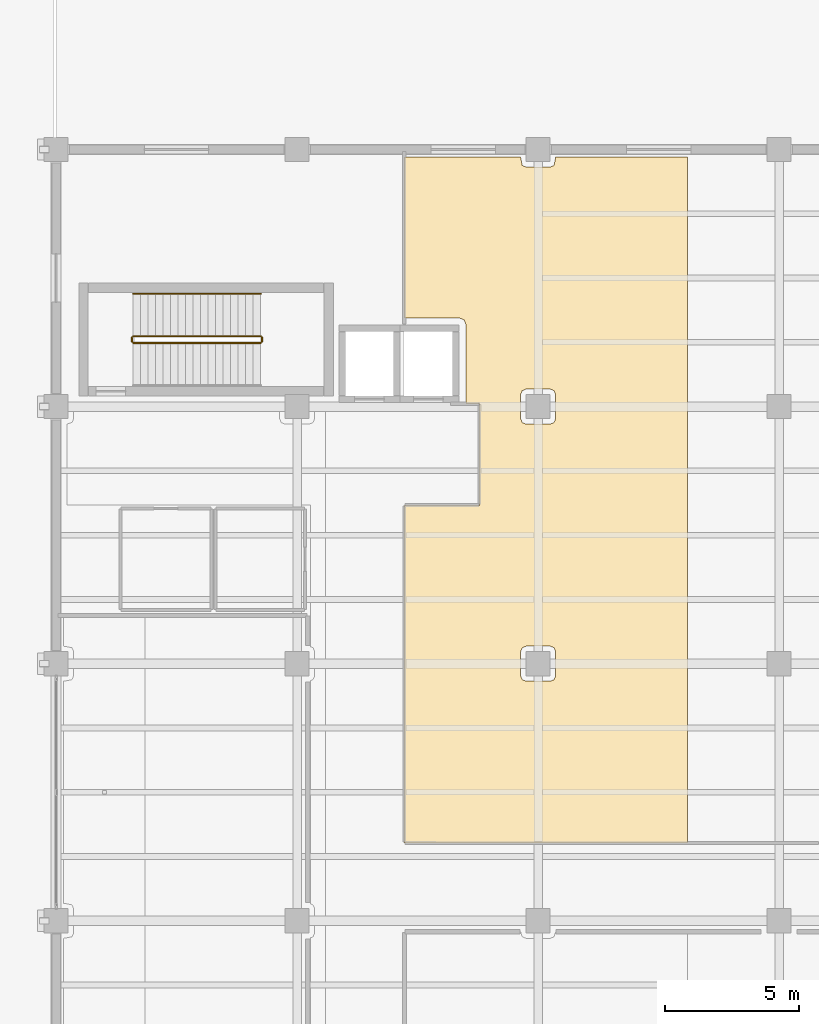
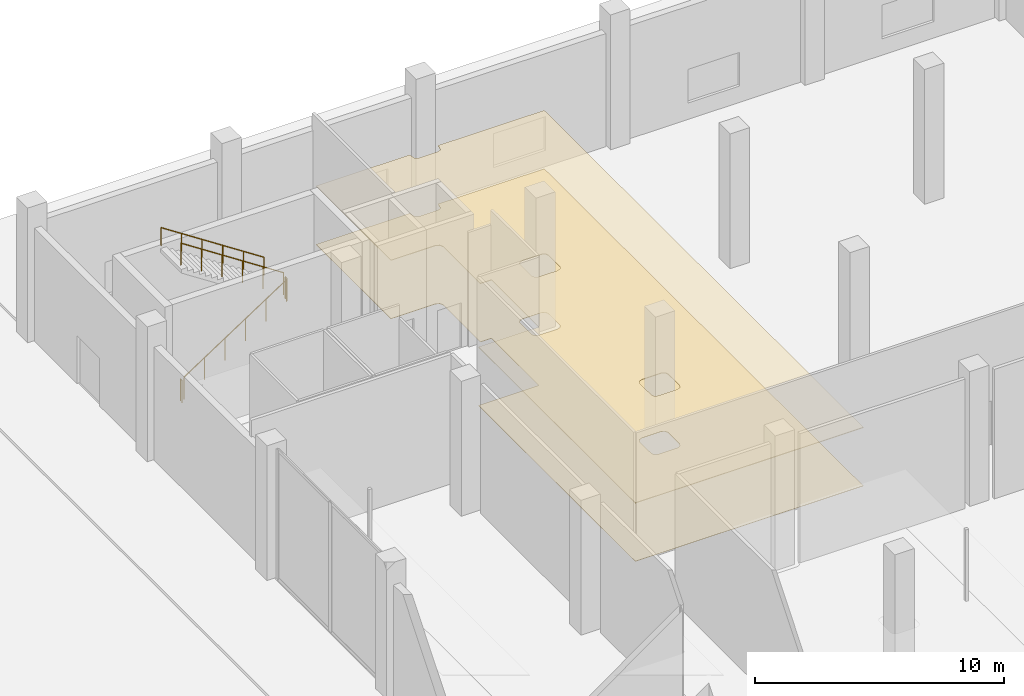
# One storey, part 45 of 45: 5 railings, 2 coverings.
"""IFC4 building model written with IfcOpenShell, lengths in metres."""

from ifc_helpers import new_model, si_unit, direction, frame, origin, origin_2d, place, context, subcontext, project, spatial, polyline, circle, outline, extrude, material, layer, layer_set, type_object, element, save


model = new_model("IFC4")

# Units and contexts
model_context = context("Model", 3, precision=1e-05, world=origin(), true_north=direction((0.0, 1.0)))
body_context = subcontext(model_context, "Body", "Model", "MODEL_VIEW")
ifc_project = project(units=[si_unit("LENGTHUNIT", "METRE"), si_unit("AREAUNIT", "SQUARE_METRE"), si_unit("VOLUMEUNIT", "CUBIC_METRE"), si_unit("PLANEANGLEUNIT", "RADIAN"), si_unit("MASSUNIT", "GRAM", prefix="KILO")], contexts=[model_context])

# Site, building, storey
site_placement = place(None, origin())
site = spatial("IfcSite", under=ifc_project, at=site_placement, CompositionType="ELEMENT")
building_placement = place(site_placement, origin())
building = spatial("IfcBuilding", under=site, at=building_placement, Name="Qorvath Tower", CompositionType="ELEMENT")
storey_placement = place(building_placement, origin())
storey = spatial("IfcBuildingStorey", under=building, at=storey_placement, Name="L00", CompositionType="ELEMENT", Elevation=0.0)

# Coverings
ifc_material_1 = material(Name="Acoustic mineral fibre ceiling tile", Category="gypsum")
ifc_layer_1 = layer(ifc_material_1, 0.030029296875)
ifc_layer_set_1 = layer_set([ifc_layer_1], Name="COV-CEIL")
covering_type_1 = type_object("IfcCoveringType", Name="COV-CEIL", PredefinedType="CEILING", material=ifc_layer_set_1)
covering_1_placement = place(storey_placement, frame((0.0, 0.0, 2.85009765625)))
element("IfcCovering", 1, at=covering_1_placement, inside=storey, type_object=covering_type_1, Name="L00 Suspended Acoustic Ceiling 007", PredefinedType="CEILING", context=body_context, shape_type="SweptSolid", body=[
    extrude(outline(polyline([(45.405029296875, 38.114990234375), (45.405029296875, 32.110107421875), (47.4599609375, 32.110107421875), (47.63671875, 32.036865234375), (47.7099609375, 31.860107421875), (47.69873046875, 28.9130859375), (48.212890625, 28.907958984375), (48.21142578125, 25.1083984375), (45.4130859375, 25.10693359375), (45.4130859375, 12.512939453125), (55.97509765625, 12.51025390625), (55.97509765625, 38.114990234375), (51.054931640625, 38.114990234375), (50.99609375, 37.806640625), (50.851806640625, 37.745361328125), (49.949951171875, 37.7451171875), (49.803955078125, 37.806640625), (49.7451171875, 38.114990234375), (45.405029296875, 38.114990234375)]), holes=[polyline([(50.851806640625, 29.45458984375), (50.99609375, 29.393310546875), (51.054931640625, 29.25), (51.054931640625, 28.35009765625), (50.99609375, 28.206787109375), (50.85009765625, 28.14501953125), (49.949951171875, 28.14501953125), (49.806640625, 28.203857421875), (49.7451171875, 28.35009765625), (49.7451171875, 29.25), (49.803955078125, 29.393310546875), (49.949951171875, 29.455078125), (50.851806640625, 29.45458984375)]), polyline([(50.99609375, 19.793212890625), (51.054931640625, 19.64990234375), (51.054931640625, 18.75), (50.993408203125, 18.60400390625), (50.85009765625, 18.544921875), (49.949951171875, 18.544921875), (49.803955078125, 18.606689453125), (49.7451171875, 18.75), (49.7451171875, 19.64990234375), (49.806640625, 19.796142578125), (49.949951171875, 19.85498046875), (50.85009765625, 19.85498046875), (50.99609375, 19.793212890625)])]), origin(), (0.0, 0.0, 1.0), 0.030029296875),
])
ifc_material_2 = material(Name="Polished epoxy terrazzo flooring", Category="concrete")
ifc_layer_2 = layer(ifc_material_2, 0.02001953125)
ifc_layer_set_2 = layer_set([ifc_layer_2], Name="COV-FLOOR-TRZ")
covering_type_2 = type_object("IfcCoveringType", Name="COV-FLOOR-TRZ", PredefinedType="FLOORING", material=ifc_layer_set_2)
covering_2_placement = place(storey_placement, origin())
element("IfcCovering", 2, at=covering_2_placement, inside=storey, type_object=covering_type_2, Name="L00 Floor Finish 007", PredefinedType="FLOORING", context=body_context, shape_type="SweptSolid", body=[
    extrude(outline(polyline([(45.405029296875, 38.114990234375), (45.405029296875, 32.110107421875), (47.4599609375, 32.110107421875), (47.63671875, 32.036865234375), (47.7099609375, 31.860107421875), (47.69873046875, 28.9130859375), (48.212890625, 28.907958984375), (48.21142578125, 25.1083984375), (45.4130859375, 25.10693359375), (45.4130859375, 12.512939453125), (55.97509765625, 12.51025390625), (55.97509765625, 38.114990234375), (51.054931640625, 38.114990234375), (50.99609375, 37.806640625), (50.851806640625, 37.745361328125), (49.949951171875, 37.7451171875), (49.803955078125, 37.806640625), (49.7451171875, 38.114990234375), (45.405029296875, 38.114990234375)]), holes=[polyline([(50.851806640625, 29.45458984375), (50.99609375, 29.393310546875), (51.054931640625, 29.25), (51.054931640625, 28.35009765625), (50.99609375, 28.206787109375), (50.85009765625, 28.14501953125), (49.949951171875, 28.14501953125), (49.806640625, 28.203857421875), (49.7451171875, 28.35009765625), (49.7451171875, 29.25), (49.803955078125, 29.393310546875), (49.949951171875, 29.455078125), (50.851806640625, 29.45458984375)]), polyline([(50.99609375, 19.793212890625), (51.054931640625, 19.64990234375), (51.054931640625, 18.75), (50.993408203125, 18.60400390625), (50.85009765625, 18.544921875), (49.949951171875, 18.544921875), (49.803955078125, 18.606689453125), (49.7451171875, 18.75), (49.7451171875, 19.64990234375), (49.806640625, 19.796142578125), (49.949951171875, 19.85498046875), (50.85009765625, 19.85498046875), (50.99609375, 19.793212890625)])]), origin(), (0.0, 0.0, 1.0), 0.014892578125),
])

# Railings
ifc_material_3 = material(Name="Painted galvanised steel", Category="steel")
railing_type_1 = type_object("IfcRailingType", Name="RL-STR-GRD", PredefinedType="GUARDRAIL", material=ifc_material_3)
railing_1_placement = place(storey_placement, frame((35.280029296875, 31.179931640625, 0.183349609375)))
element("IfcRailing", 3, at=railing_1_placement, inside=storey, type_object=railing_type_1, Name="L00 LS1 stair guard 1", PredefinedType="GUARDRAIL", context=body_context, shape_type="SweptSolid", body=[
    extrude(circle(Radius=0.02392578125, at=origin_2d()), frame((0.0, 0.0, 1.076171875), z_axis=(0.836616421643, 0.0, 0.547789159291), x_axis=(0.0, 1.0, 0.0)), (0.0, 0.0, 1.0), 5.689697265625),
    extrude(circle(Radius=0.02099609375, at=origin_2d()), origin(), (0.0, 0.0, 1.0), 1.052001953125),
    extrude(circle(Radius=0.02099609375, at=origin_2d()), frame((0.951904296875, 0.0, 0.623291015625)), (0.0, 0.0, 1.0), 1.052001953125),
    extrude(circle(Radius=0.02099609375, at=origin_2d()), frame((1.904052734375, 0.0, 1.24658203125)), (0.0, 0.0, 1.0), 1.052001953125),
    extrude(circle(Radius=0.02099609375, at=origin_2d()), frame((2.85595703125, 0.0, 1.8701171875)), (0.0, 0.0, 1.0), 1.052001953125),
    extrude(circle(Radius=0.02099609375, at=origin_2d()), frame((3.80810546875, 0.0, 2.493408203125)), (0.0, 0.0, 1.0), 1.052001953125),
    extrude(circle(Radius=0.02099609375, at=origin_2d()), frame((4.760009765625, 0.0, 3.11669921875)), (0.0, 0.0, 1.0), 1.052001953125),
])
railing_2_placement = place(storey_placement, frame((40.090087890625, 31.22998046875, 3.300048828125)))
element("IfcRailing", 4, at=railing_2_placement, inside=storey, type_object=railing_type_1, Name="L00 LS1 stair guard 2", PredefinedType="GUARDRAIL", context=body_context, shape_type="SweptSolid", body=[
    extrude(circle(Radius=0.02392578125, at=origin_2d()), frame((0.0, 0.0, 1.076171875), z_axis=(0.0, 1.0, 0.0), x_axis=(-1.0, 0.0, 0.0)), (0.0, 0.0, 1.0), 0.14990234375),
    extrude(circle(Radius=0.02099609375, at=origin_2d()), origin(), (0.0, 0.0, 1.0), 1.052001953125),
    extrude(circle(Radius=0.02099609375, at=origin_2d()), frame((0.0, 0.14990234375, 0.0)), (0.0, 0.0, 1.0), 1.052001953125),
])
railing_3_placement = place(storey_placement, frame((40.0400390625, 31.429931640625, 3.4833984375)))
element("IfcRailing", 5, at=railing_3_placement, inside=storey, type_object=railing_type_1, Name="L00 LS1 stair guard 3", PredefinedType="GUARDRAIL", context=body_context, shape_type="SweptSolid", body=[
    extrude(circle(Radius=0.02392578125, at=origin_2d()), frame((0.0, 0.0, 1.076171875), z_axis=(-0.836616421643, 0.0, 0.547789159291), x_axis=(0.0, -1.0, 0.0)), (0.0, 0.0, 1.0), 5.689697265625),
    extrude(circle(Radius=0.02099609375, at=origin_2d()), origin(), (0.0, 0.0, 1.0), 1.052001953125),
    extrude(circle(Radius=0.02099609375, at=origin_2d()), frame((-0.951904296875, 0.0, 0.623291015625)), (0.0, 0.0, 1.0), 1.052001953125),
    extrude(circle(Radius=0.02099609375, at=origin_2d()), frame((-1.904052734375, 0.0, 1.24658203125)), (0.0, 0.0, 1.0), 1.052001953125),
    extrude(circle(Radius=0.02099609375, at=origin_2d()), frame((-2.85595703125, 0.0, 1.8701171875)), (0.0, 0.0, 1.0), 1.052001953125),
    extrude(circle(Radius=0.02099609375, at=origin_2d()), frame((-3.80810546875, 0.0, 2.493408203125)), (0.0, 0.0, 1.0), 1.052001953125),
    extrude(circle(Radius=0.02099609375, at=origin_2d()), frame((-4.760009765625, 0.0, 3.11669921875)), (0.0, 0.0, 1.0), 1.052001953125),
])
railing_4_placement = place(storey_placement, frame((35.22998046875, 31.22998046875, 0.0)))
element("IfcRailing", 6, at=railing_4_placement, inside=storey, type_object=railing_type_1, Name="L00 LS1 stair guard 4", PredefinedType="GUARDRAIL", context=body_context, shape_type="SweptSolid", body=[
    extrude(circle(Radius=0.02392578125, at=origin_2d()), frame((0.0, 0.0, 1.076171875), z_axis=(0.0, 1.0, 0.0), x_axis=(-1.0, 0.0, 0.0)), (0.0, 0.0, 1.0), 0.14990234375),
    extrude(circle(Radius=0.02099609375, at=origin_2d()), origin(), (0.0, 0.0, 1.0), 1.052001953125),
    extrude(circle(Radius=0.02099609375, at=origin_2d()), frame((0.0, 0.14990234375, 0.0)), (0.0, 0.0, 1.0), 1.052001953125),
])
ifc_material_4 = material(Name="Brushed stainless steel AISI 304", Category="steel")
railing_type_2 = type_object("IfcRailingType", Name="RL-STR-HND", PredefinedType="HANDRAIL", material=ifc_material_4)
railing_5_placement = place(storey_placement, frame((40.0400390625, 33.010009765625, 3.4833984375)))
element("IfcRailing", 7, at=railing_5_placement, inside=storey, type_object=railing_type_2, Name="L00 LS1 stair handrail 2", PredefinedType="HANDRAIL", context=body_context, shape_type="SweptSolid", body=[
    extrude(circle(Radius=0.02392578125, at=origin_2d()), frame((0.0, 0.0, 0.8759765625), z_axis=(-0.836616421643, 0.0, 0.547789159291), x_axis=(0.0, -1.0, 0.0)), (0.0, 0.0, 1.0), 5.689697265625),
    extrude(circle(Radius=0.02099609375, at=origin_2d()), origin(), (0.0, 0.0, 1.0), 0.851806640625),
    extrude(circle(Radius=0.02099609375, at=origin_2d()), frame((-0.951904296875, 0.0, 0.623291015625)), (0.0, 0.0, 1.0), 0.851806640625),
    extrude(circle(Radius=0.02099609375, at=origin_2d()), frame((-1.904052734375, 0.0, 1.24658203125)), (0.0, 0.0, 1.0), 0.851806640625),
    extrude(circle(Radius=0.02099609375, at=origin_2d()), frame((-2.85595703125, 0.0, 1.8701171875)), (0.0, 0.0, 1.0), 0.851806640625),
    extrude(circle(Radius=0.02099609375, at=origin_2d()), frame((-3.80810546875, 0.0, 2.493408203125)), (0.0, 0.0, 1.0), 0.851806640625),
    extrude(circle(Radius=0.02099609375, at=origin_2d()), frame((-4.760009765625, 0.0, 3.11669921875)), (0.0, 0.0, 1.0), 0.851806640625),
])

save(model, "model.ifc")
